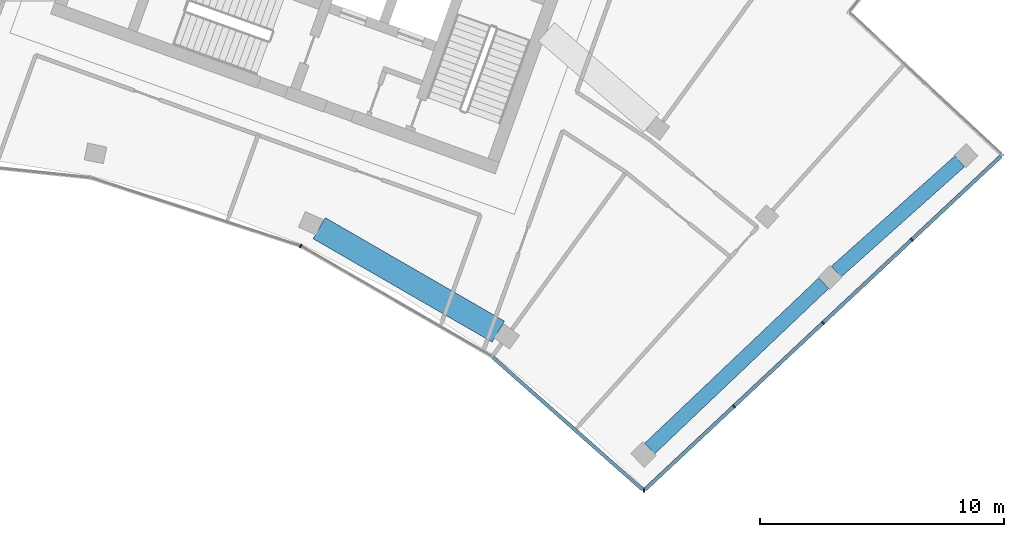
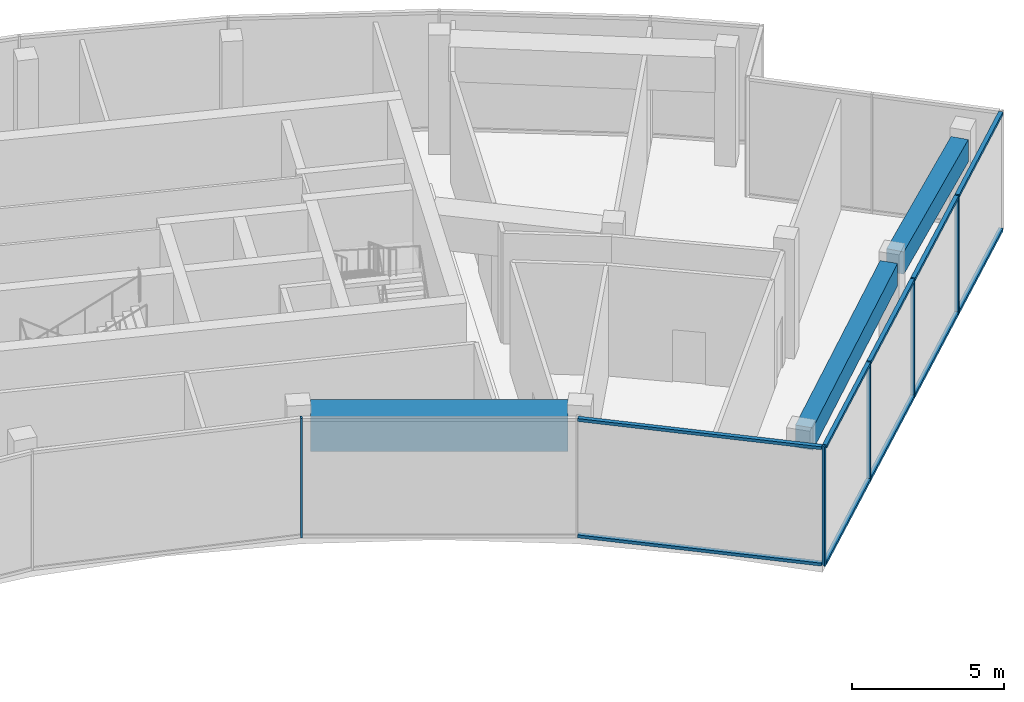
# One storey, part 9 of 17: 15 members, 3 beams, 2 elements without a shape of their own.
"""IFC4 building model written with IfcOpenShell, lengths in metres."""

from ifc_helpers import new_model, si_unit, direction, frame, origin, origin_2d, place, context, subcontext, project, spatial, rectangle, extrude, material, layer, layer_set, material_profile, profile_set, type_object, element, aggregate, save


model = new_model("IFC4")

# Units and contexts
model_context = context("Model", 3, precision=1e-05, world=origin(), true_north=direction((0.0, 1.0)))
body_context = subcontext(model_context, "Body", "Model", "MODEL_VIEW")
ifc_project = project(units=[si_unit("LENGTHUNIT", "METRE"), si_unit("AREAUNIT", "SQUARE_METRE"), si_unit("VOLUMEUNIT", "CUBIC_METRE"), si_unit("PLANEANGLEUNIT", "RADIAN"), si_unit("MASSUNIT", "GRAM", prefix="KILO")], contexts=[model_context])

# Site, building, storey
site_placement = place(None, origin())
site = spatial("IfcSite", under=ifc_project, at=site_placement, CompositionType="ELEMENT")
building_placement = place(site_placement, origin())
building = spatial("IfcBuilding", under=site, at=building_placement, Name="Stone Belt Terrace Tower", CompositionType="ELEMENT")
storey_placement = place(building_placement, frame((0.0, 0.0, 318.199951171875)))
storey = spatial("IfcBuildingStorey", under=building, at=storey_placement, Name="L77", CompositionType="ELEMENT", Elevation=318.199951171875)

# Curtain wall, member
ifc_material_1 = material(Name="Aluminium 6063-T6 anodised frame", Category="aluminium")
ifc_layer = layer(ifc_material_1, 0.14990234375)
ifc_layer_set = layer_set([ifc_layer], Name="CW-C stick curtain wall, horn ends and notches")
curtain_wall_type = type_object("IfcCurtainWallType", Name="CW-C stick curtain wall, horn ends and notches", PredefinedType="NOTDEFINED", material=ifc_layer_set)
curtain_wall_1_placement = place(storey_placement, origin())
curtain_wall_1 = element("IfcCurtainWall", 1, at=curtain_wall_1_placement, inside=storey, type_object=curtain_wall_type, Name="CW-C concave face L77", PredefinedType="NOTDEFINED")
ifc_material_profile_1 = material_profile(ifc_material_1, rectangle(XDim=0.14990234375, YDim=0.06005859375, at=origin_2d()), Name="Aluminium 6063-T6 60x150")
ifc_profile_set_1 = profile_set([ifc_material_profile_1], Name="Aluminium 6063-T6 anodised frame")
member_type_1 = type_object("IfcMemberType", Name="CW-C mullion 60 x 150", PredefinedType="MULLION", material=ifc_profile_set_1)
member_1_placement = place(storey_placement, frame((17.662353515625, 39.67041015625, 0.0), z_axis=(0.0, 0.0, 1.0), x_axis=(0.406736643076, 0.913545457643, 0.0)))
member_1 = element("IfcMember", 2, at=member_1_placement, type_object=member_type_1, Name="CW-C mullion 7", PredefinedType="MULLION", context=body_context, shape_type="SweptSolid", body=[
    extrude(rectangle(XDim=0.14990234375, YDim=0.06005859375, at=origin_2d()), origin(), (0.0, 0.0, 1.0), 4.800048828125),
])

# Curtain wall, members
curtain_wall_2_placement = place(storey_placement, origin())
curtain_wall_2 = element("IfcCurtainWall", 3, at=curtain_wall_2_placement, inside=storey, type_object=curtain_wall_type, Name="CW-C end face L77", PredefinedType="NOTDEFINED")
member_2_placement = place(storey_placement, frame((31.75244140625, 29.633056640625, 0.0), z_axis=(0.0, 0.0, 1.0), x_axis=(-0.014681639593, 0.999892218921, 0.0)))
member_2 = element("IfcMember", 4, at=member_2_placement, type_object=member_type_1, Name="CW-C mullion 1", PredefinedType="MULLION", context=body_context, shape_type="SweptSolid", body=[
    extrude(rectangle(XDim=0.14990234375, YDim=0.06005859375, at=origin_2d()), origin(), (0.0, 0.0, 1.0), 4.800048828125),
])
member_3_placement = place(storey_placement, frame((35.45166015625, 33.097412109375, 0.0), z_axis=(0.0, 0.0, 1.0), x_axis=(-0.683549434973, 0.729904219708, 0.0)))
member_3 = element("IfcMember", 5, at=member_3_placement, type_object=member_type_1, Name="CW-C mullion 2", PredefinedType="MULLION", context=body_context, shape_type="SweptSolid", body=[
    extrude(rectangle(XDim=0.14990234375, YDim=0.06005859375, at=origin_2d()), origin(), (0.0, 0.0, 1.0), 4.800048828125),
])
member_4_placement = place(storey_placement, frame((39.10107421875, 36.51513671875, 0.0), z_axis=(0.0, 0.0, 1.0), x_axis=(-0.683549434973, 0.729904219708, 0.0)))
member_4 = element("IfcMember", 6, at=member_4_placement, type_object=member_type_1, Name="CW-C mullion 3", PredefinedType="MULLION", context=body_context, shape_type="SweptSolid", body=[
    extrude(rectangle(XDim=0.14990234375, YDim=0.06005859375, at=origin_2d()), origin(), (0.0, 0.0, 1.0), 4.800048828125),
])
member_5_placement = place(storey_placement, frame((42.750732421875, 39.932861328125, 0.0), z_axis=(0.0, 0.0, 1.0), x_axis=(-0.683549434973, 0.729904219708, 0.0)))
member_5 = element("IfcMember", 7, at=member_5_placement, type_object=member_type_1, Name="CW-C mullion 4", PredefinedType="MULLION", context=body_context, shape_type="SweptSolid", body=[
    extrude(rectangle(XDim=0.14990234375, YDim=0.06005859375, at=origin_2d()), origin(), (0.0, 0.0, 1.0), 4.800048828125),
])

# Member
ifc_material_profile_2 = material_profile(ifc_material_1, rectangle(XDim=0.14990234375, YDim=0.1201171875, at=origin_2d()), Name="Aluminium 6063-T6 150x120")
ifc_profile_set_2 = profile_set([ifc_material_profile_2], Name="Aluminium 6063-T6 anodised frame")
member_type_2 = type_object("IfcMemberType", Name="CW-C transom 120 x 150", PredefinedType="USERDEFINED", material=ifc_profile_set_2)
member_6_placement = place(storey_placement, frame((25.552734375, 35.1064453125, 0.06005859375), z_axis=(0.749643131168, -0.661842259071, 0.0), x_axis=(0.661842259071, 0.749643131168, 0.0)))
member_6 = element("IfcMember", 8, at=member_6_placement, type_object=member_type_2, Name="CW-C transom 8.1", ObjectType="TRANSOM", PredefinedType="USERDEFINED", context=body_context, shape_type="SweptSolid", body=[
    extrude(rectangle(XDim=0.14990234375, YDim=0.1201171875, at=origin_2d()), origin(), (0.0, 0.0, 1.0), 8.197265625),
])

member_7_placement = place(storey_placement, frame((25.552734375, 35.1064453125, 4.739990234375), z_axis=(0.749643131168, -0.661842259071, 0.0), x_axis=(0.661842259071, 0.749643131168, 0.0)))
member_7 = element("IfcMember", 9, at=member_7_placement, type_object=member_type_2, Name="CW-C transom 8.2", ObjectType="TRANSOM", PredefinedType="USERDEFINED", context=body_context, shape_type="SweptSolid", body=[
    extrude(rectangle(XDim=0.14990234375, YDim=0.1201171875, at=origin_2d()), origin(), (0.0, 0.0, 1.0), 8.197265625),
])

aggregate(curtain_wall_1, [member_1, member_6, member_7])

member_8_placement = place(storey_placement, frame((31.805419921875, 29.6826171875, 0.06005859375), z_axis=(0.72988516347, 0.683569782938, 0.0), x_axis=(-0.683569782938, 0.72988516347, 0.0)))
member_8 = element("IfcMember", 10, at=member_8_placement, type_object=member_type_2, Name="CW-C transom 1.1", ObjectType="TRANSOM", PredefinedType="USERDEFINED", context=body_context, shape_type="SweptSolid", body=[
    extrude(rectangle(XDim=0.14990234375, YDim=0.1201171875, at=origin_2d()), origin(), (0.0, 0.0, 1.0), 4.965576171875),
])

member_9_placement = place(storey_placement, frame((31.805419921875, 29.6826171875, 4.739990234375), z_axis=(0.72988516347, 0.683569782938, 0.0), x_axis=(-0.683569782938, 0.72988516347, 0.0)))
member_9 = element("IfcMember", 11, at=member_9_placement, type_object=member_type_2, Name="CW-C transom 1.2", ObjectType="TRANSOM", PredefinedType="USERDEFINED", context=body_context, shape_type="SweptSolid", body=[
    extrude(rectangle(XDim=0.14990234375, YDim=0.1201171875, at=origin_2d()), origin(), (0.0, 0.0, 1.0), 4.965576171875),
])

member_10_placement = place(storey_placement, frame((35.4736328125, 33.117919921875, 0.06005859375), z_axis=(0.729905447424, 0.683548123998, 0.0), x_axis=(-0.683548123998, 0.729905447424, 0.0)))
member_10 = element("IfcMember", 12, at=member_10_placement, type_object=member_type_2, Name="CW-C transom 2.1", ObjectType="TRANSOM", PredefinedType="USERDEFINED", context=body_context, shape_type="SweptSolid", body=[
    extrude(rectangle(XDim=0.14990234375, YDim=0.1201171875, at=origin_2d()), origin(), (0.0, 0.0, 1.0), 4.93994140625),
])

member_11_placement = place(storey_placement, frame((35.4736328125, 33.117919921875, 4.739990234375), z_axis=(0.729905447424, 0.683548123998, 0.0), x_axis=(-0.683548123998, 0.729905447424, 0.0)))
member_11 = element("IfcMember", 13, at=member_11_placement, type_object=member_type_2, Name="CW-C transom 2.2", ObjectType="TRANSOM", PredefinedType="USERDEFINED", context=body_context, shape_type="SweptSolid", body=[
    extrude(rectangle(XDim=0.14990234375, YDim=0.1201171875, at=origin_2d()), origin(), (0.0, 0.0, 1.0), 4.93994140625),
])

member_12_placement = place(storey_placement, frame((39.123046875, 36.53564453125, 0.06005859375), z_axis=(0.729905447424, 0.683548123998, 0.0), x_axis=(-0.683548123998, 0.729905447424, 0.0)))
member_12 = element("IfcMember", 14, at=member_12_placement, type_object=member_type_2, Name="CW-C transom 3.1", ObjectType="TRANSOM", PredefinedType="USERDEFINED", context=body_context, shape_type="SweptSolid", body=[
    extrude(rectangle(XDim=0.14990234375, YDim=0.1201171875, at=origin_2d()), origin(), (0.0, 0.0, 1.0), 4.93994140625),
])

member_13_placement = place(storey_placement, frame((39.123046875, 36.53564453125, 4.739990234375), z_axis=(0.729905447424, 0.683548123998, 0.0), x_axis=(-0.683548123998, 0.729905447424, 0.0)))
member_13 = element("IfcMember", 15, at=member_13_placement, type_object=member_type_2, Name="CW-C transom 3.2", ObjectType="TRANSOM", PredefinedType="USERDEFINED", context=body_context, shape_type="SweptSolid", body=[
    extrude(rectangle(XDim=0.14990234375, YDim=0.1201171875, at=origin_2d()), origin(), (0.0, 0.0, 1.0), 4.93994140625),
])

member_14_placement = place(storey_placement, frame((42.7724609375, 39.953369140625, 0.06005859375), z_axis=(0.729913558916, 0.683539462292, 0.0), x_axis=(-0.683539462292, 0.729913558916, 0.0)))
member_14 = element("IfcMember", 16, at=member_14_placement, type_object=member_type_2, Name="CW-C transom 4.1", ObjectType="TRANSOM", PredefinedType="USERDEFINED", context=body_context, shape_type="SweptSolid", body=[
    extrude(rectangle(XDim=0.14990234375, YDim=0.1201171875, at=origin_2d()), origin(), (0.0, 0.0, 1.0), 4.97509765625),
])

member_15_placement = place(storey_placement, frame((42.7724609375, 39.953369140625, 4.739990234375), z_axis=(0.729913558916, 0.683539462292, 0.0), x_axis=(-0.683539462292, 0.729913558916, 0.0)))
member_15 = element("IfcMember", 17, at=member_15_placement, type_object=member_type_2, Name="CW-C transom 4.2", ObjectType="TRANSOM", PredefinedType="USERDEFINED", context=body_context, shape_type="SweptSolid", body=[
    extrude(rectangle(XDim=0.14990234375, YDim=0.1201171875, at=origin_2d()), origin(), (0.0, 0.0, 1.0), 4.97509765625),
])

aggregate(curtain_wall_2, [member_2, member_3, member_4, member_5, member_8, member_9, member_10, member_11, member_12, member_13, member_14, member_15])

# Beams
ifc_material_2 = material(Name="Concrete B60", Category="concrete")
ifc_material_profile_3 = material_profile(ifc_material_2, rectangle(XDim=0.60009765625, YDim=0.89990234375, at=origin_2d()), Name="RC 600x900")
ifc_profile_set_3 = profile_set([ifc_material_profile_3], Name="Concrete B60")
beam_type_1 = type_object("IfcBeamType", Name="Edge beam RC 600x900 B60", PredefinedType="SPANDREL", material=ifc_profile_set_3)
beam_1_placement = place(storey_placement, frame((31.98876953125, 31.35791015625, 4.0), z_axis=(0.725018605512, 0.688729280387, 0.0), x_axis=(-0.688729280387, 0.725018605512, 0.0)))
element("IfcBeam", 18, at=beam_1_placement, inside=storey, type_object=beam_type_1, Name="Edge beam L77 B P to Q", PredefinedType="SPANDREL", context=body_context, shape_type="SweptSolid", body=[
    extrude(rectangle(XDim=0.60009765625, YDim=0.89990234375, at=origin_2d()), origin(), (0.0, 0.0, 1.0), 9.85595703125),
])
beam_2_placement = place(storey_placement, frame((39.649658203125, 38.620361328125, 4.0), z_axis=(0.745646224154, 0.666342035598, 0.0), x_axis=(-0.666342035598, 0.745646224154, 0.0)))
element("IfcBeam", 19, at=beam_2_placement, inside=storey, type_object=beam_type_1, Name="Edge beam L77 B Q to R", PredefinedType="SPANDREL", context=body_context, shape_type="SweptSolid", body=[
    extrude(rectangle(XDim=0.60009765625, YDim=0.89990234375, at=origin_2d()), origin(), (0.0, 0.0, 1.0), 6.79443359375),
])
ifc_material_3 = material(Name="Concrete B80", Category="concrete")
ifc_material_profile_4 = material_profile(ifc_material_3, rectangle(XDim=1.0, YDim=1.39990234375, at=origin_2d()), Name="RC 1000x1400")
ifc_profile_set_4 = profile_set([ifc_material_profile_4], Name="Concrete B80")
beam_type_2 = type_object("IfcBeamType", Name="Transfer beam RC 1000x1400 B80", PredefinedType="BEAM", material=ifc_profile_set_4)
beam_3_placement = place(storey_placement, frame((18.42578125, 40.4013671875, 3.75), z_axis=(0.866034212668, -0.499984742257, 0.0), x_axis=(0.499984742257, 0.866034212668, 0.0)))
element("IfcBeam", 20, at=beam_3_placement, inside=storey, type_object=beam_type_2, Name="Transfer beam L77 PP26-P28", PredefinedType="BEAM", context=body_context, shape_type="SweptSolid", body=[
    extrude(rectangle(XDim=1.0, YDim=1.39990234375, at=origin_2d()), origin(), (0.0, 0.0, 1.0), 8.487060546875),
])

save(model, "model.ifc")
